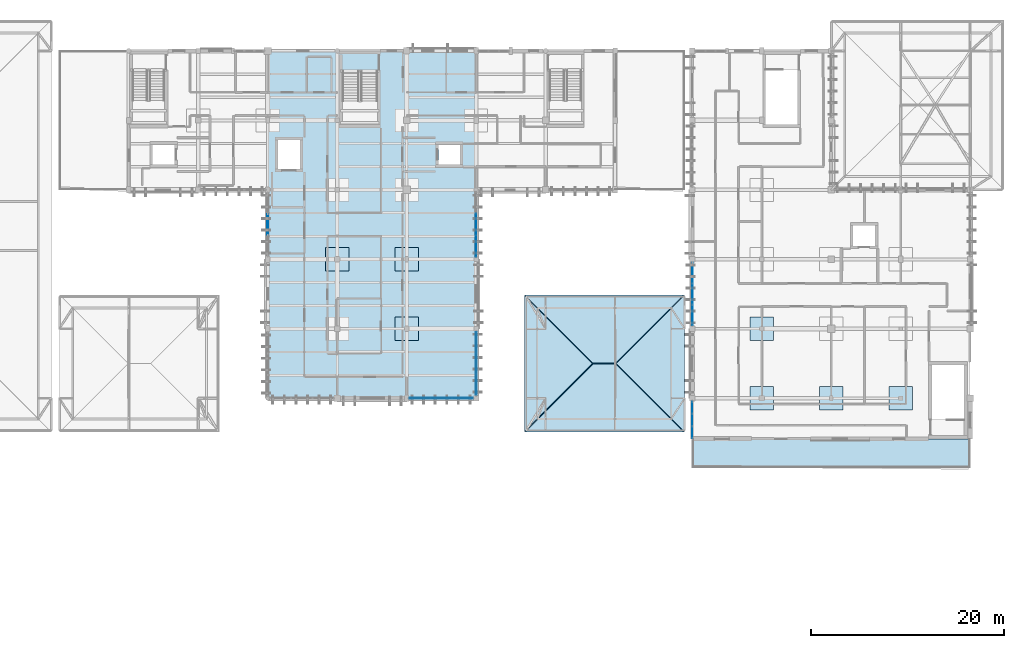
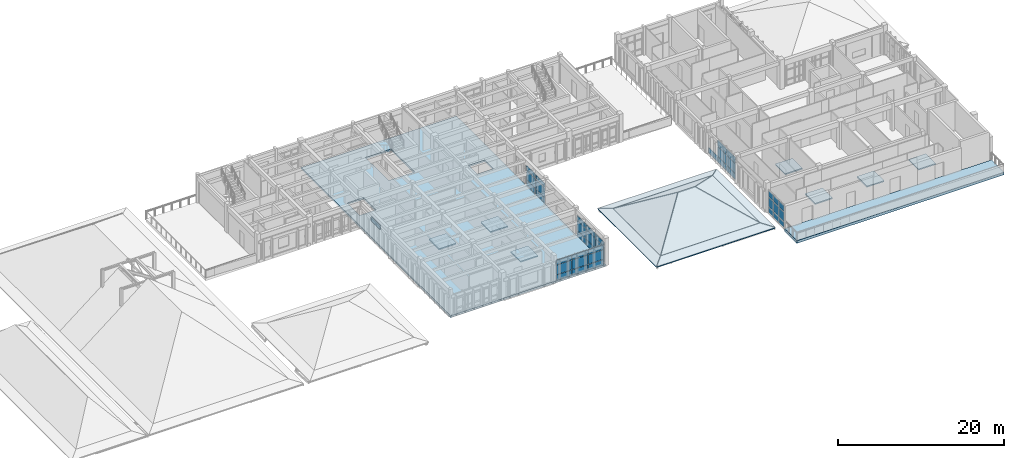
# One storey, part 24 of 51: 41 plates, 17 slabs, 7 elements without a shape of their own.
"""IFC4 building model written with IfcOpenShell, lengths in metres."""

from ifc_helpers import new_model, si_unit, direction, frame, origin, origin_2d, place, context, subcontext, project, spatial, polyline, rectangle, outline, extrude, material, layer, layer_set, type_object, element, aggregate, save


model = new_model("IFC4")

# Units and contexts
model_context = context("Model", 3, precision=1e-05, world=origin(), true_north=direction((0.0, 1.0)))
body_context = subcontext(model_context, "Body", "Model", "MODEL_VIEW")
ifc_project = project(units=[si_unit("LENGTHUNIT", "METRE"), si_unit("AREAUNIT", "SQUARE_METRE"), si_unit("VOLUMEUNIT", "CUBIC_METRE"), si_unit("PLANEANGLEUNIT", "RADIAN"), si_unit("MASSUNIT", "GRAM", prefix="KILO")], contexts=[model_context])

# Site, building, storey
site_placement = place(None, origin())
site = spatial("IfcSite", under=ifc_project, at=site_placement, CompositionType="ELEMENT")
building_placement = place(site_placement, origin())
building = spatial("IfcBuilding", under=site, at=building_placement, Name="Steenspoor Specialist Clinic", CompositionType="ELEMENT")
storey_placement = place(building_placement, frame((0.0, 0.0, 17.39990234375)))
storey = spatial("IfcBuildingStorey", under=building, at=storey_placement, Name="L04", CompositionType="ELEMENT", Elevation=17.39990234375)

# Curtain wall, plates
ifc_material_1 = material(Name="Thermally broken aluminium and low-emissivity glass", Category="aluminium")
curtain_wall_type_1 = type_object("IfcCurtainWallType", Name="CW-TYP-480X355", PredefinedType="USERDEFINED", material=ifc_material_1)
curtain_wall_1_placement = place(storey_placement, origin())
curtain_wall_1 = element("IfcCurtainWall", 1, at=curtain_wall_1_placement, inside=storey, type_object=curtain_wall_type_1, Name="Unitised Curtain Wall CW-V6-L04-204", ObjectType="UNITISED GLAZING", PredefinedType="USERDEFINED")
ifc_material_2 = material(Name="Double low-emissivity insulated glass", Category="glass")
ifc_layer_1 = layer(ifc_material_2, 0.035888671875)
ifc_layer_set_1 = layer_set([ifc_layer_1], Name="Double low-emissivity insulated glass")
plate_type_1 = type_object("IfcPlateType", Name="CW-PAN-GL36", PredefinedType="CURTAIN_PANEL", material=ifc_layer_set_1)
plate_1_placement = place(storey_placement, frame((118.0, 68.820068359375, 0.09033203125), z_axis=(0.0, 0.0, 1.0), x_axis=(0.0, 1.0, 0.0)))
plate_1 = element("IfcPlate", 2, at=plate_1_placement, type_object=plate_type_1, Name="CW-12 panel 1.1", PredefinedType="CURTAIN_PANEL", context=body_context, shape_type="SweptSolid", body=[
    extrude(rectangle(XDim=1.179931640625, YDim=0.035888671875, at=origin_2d()), origin(), (0.0, 0.0, 1.0), 0.764892578125),
])
plate_2_placement = place(storey_placement, frame((118.0, 68.820068359375, 0.94482421875), z_axis=(0.0, 0.0, 1.0), x_axis=(0.0, 1.0, 0.0)))
plate_2 = element("IfcPlate", 3, at=plate_2_placement, type_object=plate_type_1, Name="CW-12 panel 1.2", PredefinedType="CURTAIN_PANEL", context=body_context, shape_type="SweptSolid", body=[
    extrude(rectangle(XDim=1.179931640625, YDim=0.035888671875, at=origin_2d()), origin(), (0.0, 0.0, 1.0), 1.360107421875),
])
plate_3_placement = place(storey_placement, frame((118.0, 68.820068359375, 2.39501953125), z_axis=(0.0, 0.0, 1.0), x_axis=(0.0, 1.0, 0.0)))
plate_3 = element("IfcPlate", 4, at=plate_3_placement, type_object=plate_type_1, Name="CW-12 panel 1.3", PredefinedType="CURTAIN_PANEL", context=body_context, shape_type="SweptSolid", body=[
    extrude(rectangle(XDim=1.179931640625, YDim=0.035888671875, at=origin_2d()), origin(), (0.0, 0.0, 1.0), 0.89501953125),
])
plate_4_placement = place(storey_placement, frame((118.0, 70.10009765625, 0.09033203125), z_axis=(0.0, 0.0, 1.0), x_axis=(0.0, 1.0, 0.0)))
plate_4 = element("IfcPlate", 5, at=plate_4_placement, type_object=plate_type_1, Name="CW-12 panel 2.1", PredefinedType="CURTAIN_PANEL", context=body_context, shape_type="SweptSolid", body=[
    extrude(rectangle(XDim=1.219970703125, YDim=0.035888671875, at=origin_2d()), origin(), (0.0, 0.0, 1.0), 0.764892578125),
])
plate_5_placement = place(storey_placement, frame((118.0, 70.10009765625, 0.94482421875), z_axis=(0.0, 0.0, 1.0), x_axis=(0.0, 1.0, 0.0)))
plate_5 = element("IfcPlate", 6, at=plate_5_placement, type_object=plate_type_1, Name="CW-12 panel 2.2", PredefinedType="CURTAIN_PANEL", context=body_context, shape_type="SweptSolid", body=[
    extrude(rectangle(XDim=1.219970703125, YDim=0.035888671875, at=origin_2d()), origin(), (0.0, 0.0, 1.0), 1.360107421875),
])
plate_6_placement = place(storey_placement, frame((118.0, 70.10009765625, 2.39501953125), z_axis=(0.0, 0.0, 1.0), x_axis=(0.0, 1.0, 0.0)))
plate_6 = element("IfcPlate", 7, at=plate_6_placement, type_object=plate_type_1, Name="CW-12 panel 2.3", PredefinedType="CURTAIN_PANEL", context=body_context, shape_type="SweptSolid", body=[
    extrude(rectangle(XDim=1.219970703125, YDim=0.035888671875, at=origin_2d()), origin(), (0.0, 0.0, 1.0), 0.89501953125),
])
plate_7_placement = place(storey_placement, frame((118.0, 71.3798828125, 0.09033203125), z_axis=(0.0, 0.0, 1.0), x_axis=(0.0, 1.0, 0.0)))
plate_7 = element("IfcPlate", 8, at=plate_7_placement, type_object=plate_type_1, Name="CW-12 panel 3.1", PredefinedType="CURTAIN_PANEL", context=body_context, shape_type="SweptSolid", body=[
    extrude(rectangle(XDim=1.179931640625, YDim=0.035888671875, at=origin_2d()), origin(), (0.0, 0.0, 1.0), 0.764892578125),
])
plate_8_placement = place(storey_placement, frame((118.0, 71.3798828125, 0.94482421875), z_axis=(0.0, 0.0, 1.0), x_axis=(0.0, 1.0, 0.0)))
plate_8 = element("IfcPlate", 9, at=plate_8_placement, type_object=plate_type_1, Name="CW-12 panel 3.2", PredefinedType="CURTAIN_PANEL", context=body_context, shape_type="SweptSolid", body=[
    extrude(rectangle(XDim=1.179931640625, YDim=0.035888671875, at=origin_2d()), origin(), (0.0, 0.0, 1.0), 1.360107421875),
])
plate_9_placement = place(storey_placement, frame((118.0, 71.3798828125, 2.39501953125), z_axis=(0.0, 0.0, 1.0), x_axis=(0.0, 1.0, 0.0)))
plate_9 = element("IfcPlate", 10, at=plate_9_placement, type_object=plate_type_1, Name="CW-12 panel 3.3", PredefinedType="CURTAIN_PANEL", context=body_context, shape_type="SweptSolid", body=[
    extrude(rectangle(XDim=1.179931640625, YDim=0.035888671875, at=origin_2d()), origin(), (0.0, 0.0, 1.0), 0.89501953125),
])
aggregate(curtain_wall_1, [plate_1, plate_2, plate_3, plate_4, plate_5, plate_6, plate_7, plate_8, plate_9])

curtain_wall_type_2 = type_object("IfcCurtainWallType", Name="CW-TYP-650X355", PredefinedType="USERDEFINED", material=ifc_material_1)
curtain_wall_2_placement = place(storey_placement, origin())
curtain_wall_2 = element("IfcCurtainWall", 11, at=curtain_wall_2_placement, inside=storey, type_object=curtain_wall_type_2, Name="Unitised Curtain Wall CW-V4-L04-130", ObjectType="UNITISED GLAZING", PredefinedType="USERDEFINED")
ifc_material_3 = material(Name="Triple acoustic laminated low-emissivity glass", Category="glass")
ifc_layer_2 = layer(ifc_material_3, 0.048095703125)
ifc_layer_set_2 = layer_set([ifc_layer_2], Name="Triple acoustic laminated low-emissivity glass")
plate_type_2 = type_object("IfcPlateType", Name="CW-PAN-GL48", PredefinedType="CURTAIN_PANEL", material=ifc_layer_set_2)
plate_10_placement = place(storey_placement, frame((95.60009765625, 90.362548828125, 0.080078125), z_axis=(0.0, 0.0, 1.0), x_axis=(0.0, -1.0, 0.0)))
plate_10 = element("IfcPlate", 12, at=plate_10_placement, type_object=plate_type_2, Name="CW-10 panel 2.1", PredefinedType="CURTAIN_PANEL", context=body_context, shape_type="SweptSolid", body=[
    extrude(rectangle(XDim=2.1982421875, YDim=0.048095703125, at=origin_2d()), origin(), (0.0, 0.0, 1.0), 0.780029296875),
])
plate_11_placement = place(storey_placement, frame((95.60009765625, 90.362548828125, 0.93994140625), z_axis=(0.0, 0.0, 1.0), x_axis=(0.0, -1.0, 0.0)))
plate_11 = element("IfcPlate", 13, at=plate_11_placement, type_object=plate_type_2, Name="CW-10 panel 2.2", PredefinedType="CURTAIN_PANEL", context=body_context, shape_type="SweptSolid", body=[
    extrude(rectangle(XDim=2.1982421875, YDim=0.048095703125, at=origin_2d()), origin(), (0.0, 0.0, 1.0), 1.3701171875),
])
plate_12_placement = place(storey_placement, frame((95.60009765625, 90.362548828125, 2.39013671875), z_axis=(0.0, 0.0, 1.0), x_axis=(0.0, -1.0, 0.0)))
plate_12 = element("IfcPlate", 14, at=plate_12_placement, type_object=plate_type_2, Name="CW-10 panel 2.3", PredefinedType="CURTAIN_PANEL", context=body_context, shape_type="SweptSolid", body=[
    extrude(rectangle(XDim=2.1982421875, YDim=0.048095703125, at=origin_2d()), origin(), (0.0, 0.0, 1.0), 0.6298828125),
])
plate_13_placement = place(storey_placement, frame((95.60009765625, 88.119140625, 0.080078125), z_axis=(0.0, 0.0, 1.0), x_axis=(0.0, -1.0, 0.0)))
plate_13 = element("IfcPlate", 15, at=plate_13_placement, type_object=plate_type_2, Name="CW-10 panel 3.1", PredefinedType="CURTAIN_PANEL", context=body_context, shape_type="SweptSolid", body=[
    extrude(rectangle(XDim=2.168212890625, YDim=0.048095703125, at=origin_2d()), origin(), (0.0, 0.0, 1.0), 0.780029296875),
])
plate_14_placement = place(storey_placement, frame((95.60009765625, 88.119140625, 0.93994140625), z_axis=(0.0, 0.0, 1.0), x_axis=(0.0, -1.0, 0.0)))
plate_14 = element("IfcPlate", 16, at=plate_14_placement, type_object=plate_type_2, Name="CW-10 panel 3.2", PredefinedType="CURTAIN_PANEL", context=body_context, shape_type="SweptSolid", body=[
    extrude(rectangle(XDim=2.168212890625, YDim=0.048095703125, at=origin_2d()), origin(), (0.0, 0.0, 1.0), 1.3701171875),
])
plate_15_placement = place(storey_placement, frame((95.60009765625, 88.119140625, 2.39013671875), z_axis=(0.0, 0.0, 1.0), x_axis=(0.0, -1.0, 0.0)))
plate_15 = element("IfcPlate", 17, at=plate_15_placement, type_object=plate_type_2, Name="CW-10 panel 3.3", PredefinedType="CURTAIN_PANEL", context=body_context, shape_type="SweptSolid", body=[
    extrude(rectangle(XDim=2.168212890625, YDim=0.048095703125, at=origin_2d()), origin(), (0.0, 0.0, 1.0), 0.6298828125),
])
aggregate(curtain_wall_2, [plate_10, plate_11, plate_12, plate_13, plate_14, plate_15])

curtain_wall_type_3 = type_object("IfcCurtainWallType", Name="CW-TYP-420X355", PredefinedType="USERDEFINED", material=ifc_material_1)
curtain_wall_3_placement = place(storey_placement, origin())
curtain_wall_3 = element("IfcCurtainWall", 18, at=curtain_wall_3_placement, inside=storey, type_object=curtain_wall_type_3, Name="Unitised Curtain Wall CW-V6-L04-205", ObjectType="UNITISED GLAZING", PredefinedType="USERDEFINED")
plate_16_placement = place(storey_placement, frame((118.0, 80.969970703125, 0.080078125), z_axis=(0.0, 0.0, 1.0), x_axis=(0.0, 1.0, 0.0)))
plate_16 = element("IfcPlate", 19, at=plate_16_placement, type_object=plate_type_2, Name="CW-13 panel 1.1", PredefinedType="CURTAIN_PANEL", context=body_context, shape_type="SweptSolid", body=[
    extrude(rectangle(XDim=2.080078125, YDim=0.048095703125, at=origin_2d()), origin(), (0.0, 0.0, 1.0), 0.780029296875),
])
plate_17_placement = place(storey_placement, frame((118.0, 80.969970703125, 0.93994140625), z_axis=(0.0, 0.0, 1.0), x_axis=(0.0, 1.0, 0.0)))
plate_17 = element("IfcPlate", 20, at=plate_17_placement, type_object=plate_type_2, Name="CW-13 panel 1.2", PredefinedType="CURTAIN_PANEL", context=body_context, shape_type="SweptSolid", body=[
    extrude(rectangle(XDim=2.080078125, YDim=0.048095703125, at=origin_2d()), origin(), (0.0, 0.0, 1.0), 1.3701171875),
])
plate_18_placement = place(storey_placement, frame((118.0, 80.969970703125, 2.39013671875), z_axis=(0.0, 0.0, 1.0), x_axis=(0.0, 1.0, 0.0)))
plate_18 = element("IfcPlate", 21, at=plate_18_placement, type_object=plate_type_2, Name="CW-13 panel 1.3", PredefinedType="CURTAIN_PANEL", context=body_context, shape_type="SweptSolid", body=[
    extrude(rectangle(XDim=2.080078125, YDim=0.048095703125, at=origin_2d()), origin(), (0.0, 0.0, 1.0), 0.909912109375),
])
plate_19_placement = place(storey_placement, frame((118.0, 83.14990234375, 0.080078125), z_axis=(0.0, 0.0, 1.0), x_axis=(0.0, 1.0, 0.0)))
plate_19 = element("IfcPlate", 22, at=plate_19_placement, type_object=plate_type_2, Name="CW-13 panel 2.1", PredefinedType="CURTAIN_PANEL", context=body_context, shape_type="SweptSolid", body=[
    extrude(rectangle(XDim=2.1201171875, YDim=0.048095703125, at=origin_2d()), origin(), (0.0, 0.0, 1.0), 0.780029296875),
])
plate_20_placement = place(storey_placement, frame((118.0, 83.14990234375, 0.93994140625), z_axis=(0.0, 0.0, 1.0), x_axis=(0.0, 1.0, 0.0)))
plate_20 = element("IfcPlate", 23, at=plate_20_placement, type_object=plate_type_2, Name="CW-13 panel 2.2", PredefinedType="CURTAIN_PANEL", context=body_context, shape_type="SweptSolid", body=[
    extrude(rectangle(XDim=2.1201171875, YDim=0.048095703125, at=origin_2d()), origin(), (0.0, 0.0, 1.0), 1.3701171875),
])
plate_21_placement = place(storey_placement, frame((118.0, 83.14990234375, 2.39013671875), z_axis=(0.0, 0.0, 1.0), x_axis=(0.0, 1.0, 0.0)))
plate_21 = element("IfcPlate", 24, at=plate_21_placement, type_object=plate_type_2, Name="CW-13 panel 2.3", PredefinedType="CURTAIN_PANEL", context=body_context, shape_type="SweptSolid", body=[
    extrude(rectangle(XDim=2.1201171875, YDim=0.048095703125, at=origin_2d()), origin(), (0.0, 0.0, 1.0), 0.909912109375),
])
plate_22_placement = place(storey_placement, frame((118.0, 85.330078125, 0.080078125), z_axis=(0.0, 0.0, 1.0), x_axis=(0.0, 1.0, 0.0)))
plate_22 = element("IfcPlate", 25, at=plate_22_placement, type_object=plate_type_2, Name="CW-13 panel 3.1", PredefinedType="CURTAIN_PANEL", context=body_context, shape_type="SweptSolid", body=[
    extrude(rectangle(XDim=2.080078125, YDim=0.048095703125, at=origin_2d()), origin(), (0.0, 0.0, 1.0), 0.780029296875),
])
aggregate(curtain_wall_3, [plate_16, plate_17, plate_18, plate_19, plate_20, plate_21, plate_22])

curtain_wall_type_4 = type_object("IfcCurtainWallType", Name="CW-HALL-650X820", PredefinedType="USERDEFINED", material=ifc_material_1)
curtain_wall_4_placement = place(storey_placement, origin())
curtain_wall_4 = element("IfcCurtainWall", 26, at=curtain_wall_4_placement, inside=storey, type_object=curtain_wall_type_4, Name="Unitised Curtain Wall CW-V4-L04-122", ObjectType="UNITISED GLAZING", PredefinedType="USERDEFINED")
ifc_material_4 = material(Name="Insulated glazed ceramic spandrel panel", Category="glass")
ifc_layer_3 = layer(ifc_material_4, 0.074951171875)
ifc_layer_set_3 = layer_set([ifc_layer_3], Name="Insulated glazed ceramic spandrel panel")
plate_type_3 = type_object("IfcPlateType", Name="CW-PAN-SP75", PredefinedType="CURTAIN_PANEL", material=ifc_layer_set_3)
plate_23_placement = place(storey_placement, frame((94.19091796875, 72.35009765625, 0.06494140625), z_axis=(0.0, 0.0, 1.0), x_axis=(-1.0, 0.0, 0.0)))
plate_23 = element("IfcPlate", 27, at=plate_23_placement, type_object=plate_type_3, Name="CW-02 panel 1.1", PredefinedType="CURTAIN_PANEL", context=body_context, shape_type="SweptSolid", body=[
    extrude(rectangle(XDim=2.12841796875, YDim=0.074951171875, at=origin_2d()), origin(), (0.0, 0.0, 1.0), 0.802490234375),
])
plate_24_placement = place(storey_placement, frame((94.19091796875, 72.35009765625, 0.9326171875), z_axis=(0.0, 0.0, 1.0), x_axis=(-1.0, 0.0, 0.0)))
plate_24 = element("IfcPlate", 28, at=plate_24_placement, type_object=plate_type_3, Name="CW-02 panel 1.2", PredefinedType="CURTAIN_PANEL", context=body_context, shape_type="SweptSolid", body=[
    extrude(rectangle(XDim=2.12841796875, YDim=0.074951171875, at=origin_2d()), origin(), (0.0, 0.0, 1.0), 1.385009765625),
])
plate_25_placement = place(storey_placement, frame((94.19091796875, 72.35009765625, 2.38232421875), z_axis=(0.0, 0.0, 1.0), x_axis=(-1.0, 0.0, 0.0)))
plate_25 = element("IfcPlate", 29, at=plate_25_placement, type_object=plate_type_3, Name="CW-02 panel 1.3", PredefinedType="CURTAIN_PANEL", context=body_context, shape_type="SweptSolid", body=[
    extrude(rectangle(XDim=2.12841796875, YDim=0.074951171875, at=origin_2d()), origin(), (0.0, 0.0, 1.0), 0.652587890625),
])
plate_26_placement = place(storey_placement, frame((91.97509765625, 72.35009765625, 0.06494140625), z_axis=(0.0, 0.0, 1.0), x_axis=(-1.0, 0.0, 0.0)))
plate_26 = element("IfcPlate", 30, at=plate_26_placement, type_object=plate_type_3, Name="CW-02 panel 2.1", PredefinedType="CURTAIN_PANEL", context=body_context, shape_type="SweptSolid", body=[
    extrude(rectangle(XDim=2.163330078125, YDim=0.074951171875, at=origin_2d()), origin(), (0.0, 0.0, 1.0), 0.802490234375),
])
plate_27_placement = place(storey_placement, frame((91.97509765625, 72.35009765625, 0.9326171875), z_axis=(0.0, 0.0, 1.0), x_axis=(-1.0, 0.0, 0.0)))
plate_27 = element("IfcPlate", 31, at=plate_27_placement, type_object=plate_type_3, Name="CW-02 panel 2.2", PredefinedType="CURTAIN_PANEL", context=body_context, shape_type="SweptSolid", body=[
    extrude(rectangle(XDim=2.163330078125, YDim=0.074951171875, at=origin_2d()), origin(), (0.0, 0.0, 1.0), 1.385009765625),
])
plate_28_placement = place(storey_placement, frame((91.97509765625, 72.35009765625, 2.38232421875), z_axis=(0.0, 0.0, 1.0), x_axis=(-1.0, 0.0, 0.0)))
plate_28 = element("IfcPlate", 32, at=plate_28_placement, type_object=plate_type_3, Name="CW-02 panel 2.3", PredefinedType="CURTAIN_PANEL", context=body_context, shape_type="SweptSolid", body=[
    extrude(rectangle(XDim=2.163330078125, YDim=0.074951171875, at=origin_2d()), origin(), (0.0, 0.0, 1.0), 0.652587890625),
])
plate_29_placement = place(storey_placement, frame((89.75927734375, 72.35009765625, 0.06494140625), z_axis=(0.0, 0.0, 1.0), x_axis=(-1.0, 0.0, 0.0)))
plate_29 = element("IfcPlate", 33, at=plate_29_placement, type_object=plate_type_3, Name="CW-02 panel 3.1", PredefinedType="CURTAIN_PANEL", context=body_context, shape_type="SweptSolid", body=[
    extrude(rectangle(XDim=2.12841796875, YDim=0.074951171875, at=origin_2d()), origin(), (0.0, 0.0, 1.0), 0.802490234375),
])
plate_30_placement = place(storey_placement, frame((89.75927734375, 72.35009765625, 0.9326171875), z_axis=(0.0, 0.0, 1.0), x_axis=(-1.0, 0.0, 0.0)))
plate_30 = element("IfcPlate", 34, at=plate_30_placement, type_object=plate_type_3, Name="CW-02 panel 3.2", PredefinedType="CURTAIN_PANEL", context=body_context, shape_type="SweptSolid", body=[
    extrude(rectangle(XDim=2.12841796875, YDim=0.074951171875, at=origin_2d()), origin(), (0.0, 0.0, 1.0), 1.385009765625),
])
plate_31_placement = place(storey_placement, frame((89.75927734375, 72.35009765625, 2.38232421875), z_axis=(0.0, 0.0, 1.0), x_axis=(-1.0, 0.0, 0.0)))
plate_31 = element("IfcPlate", 35, at=plate_31_placement, type_object=plate_type_3, Name="CW-02 panel 3.3", PredefinedType="CURTAIN_PANEL", context=body_context, shape_type="SweptSolid", body=[
    extrude(rectangle(XDim=2.12841796875, YDim=0.074951171875, at=origin_2d()), origin(), (0.0, 0.0, 1.0), 0.652587890625),
])
aggregate(curtain_wall_4, [plate_23, plate_24, plate_25, plate_26, plate_27, plate_28, plate_29, plate_30, plate_31])

# Curtain wall, plate
curtain_wall_type_5 = type_object("IfcCurtainWallType", Name="CW-L00-650X415", PredefinedType="USERDEFINED", material=ifc_material_1)
curtain_wall_5_placement = place(storey_placement, origin())
curtain_wall_5 = element("IfcCurtainWall", 36, at=curtain_wall_5_placement, inside=storey, type_object=curtain_wall_type_5, Name="Unitised Curtain Wall CW-V4-L04-125", ObjectType="UNITISED GLAZING", PredefinedType="USERDEFINED")
plate_32_placement = place(storey_placement, frame((74.0, 90.362548828125, 2.39013671875), z_axis=(0.0, 0.0, 1.0), x_axis=(0.0, 1.0, 0.0)))
plate_32 = element("IfcPlate", 37, at=plate_32_placement, type_object=plate_type_3, Name="CW-05 panel 2.3", PredefinedType="CURTAIN_PANEL", context=body_context, shape_type="SweptSolid", body=[
    extrude(rectangle(XDim=2.1015625, YDim=0.074951171875, at=origin_2d()), origin(), (0.0, 0.0, 1.0), 0.6298828125),
])
aggregate(curtain_wall_5, [plate_32])

# Curtain wall, plates
curtain_wall_type_6 = type_object("IfcCurtainWallType", Name="CW-TYP-540X355", PredefinedType="USERDEFINED", material=ifc_material_1)
curtain_wall_6_placement = place(storey_placement, origin())
curtain_wall_6 = element("IfcCurtainWall", 38, at=curtain_wall_6_placement, inside=storey, type_object=curtain_wall_type_6, Name="Unitised Curtain Wall CW-V4-L04-131", ObjectType="UNITISED GLAZING", PredefinedType="USERDEFINED")
plate_33_placement = place(storey_placement, frame((95.60009765625, 78.1650390625, 0.070068359375), z_axis=(0.0, 0.0, 1.0), x_axis=(0.0, -1.0, 0.0)))
plate_33 = element("IfcPlate", 39, at=plate_33_placement, type_object=plate_type_3, Name="CW-11 panel 1.1", PredefinedType="CURTAIN_PANEL", context=body_context, shape_type="SweptSolid", body=[
    extrude(rectangle(XDim=2.090087890625, YDim=0.074951171875, at=origin_2d()), origin(), (0.0, 0.0, 1.0), 0.794921875),
])
plate_34_placement = place(storey_placement, frame((95.60009765625, 78.1650390625, 0.93505859375), z_axis=(0.0, 0.0, 1.0), x_axis=(0.0, -1.0, 0.0)))
plate_34 = element("IfcPlate", 40, at=plate_34_placement, type_object=plate_type_3, Name="CW-11 panel 1.2", PredefinedType="CURTAIN_PANEL", context=body_context, shape_type="SweptSolid", body=[
    extrude(rectangle(XDim=2.090087890625, YDim=0.074951171875, at=origin_2d()), origin(), (0.0, 0.0, 1.0), 1.3798828125),
])
plate_35_placement = place(storey_placement, frame((95.60009765625, 78.1650390625, 2.385009765625), z_axis=(0.0, 0.0, 1.0), x_axis=(0.0, -1.0, 0.0)))
plate_35 = element("IfcPlate", 41, at=plate_35_placement, type_object=plate_type_3, Name="CW-11 panel 1.3", PredefinedType="CURTAIN_PANEL", context=body_context, shape_type="SweptSolid", body=[
    extrude(rectangle(XDim=2.090087890625, YDim=0.074951171875, at=origin_2d()), origin(), (0.0, 0.0, 1.0), 0.64501953125),
])
plate_36_placement = place(storey_placement, frame((95.60009765625, 75.96240234375, 0.070068359375), z_axis=(0.0, 0.0, 1.0), x_axis=(0.0, -1.0, 0.0)))
plate_36 = element("IfcPlate", 42, at=plate_36_placement, type_object=plate_type_3, Name="CW-11 panel 2.1", PredefinedType="CURTAIN_PANEL", context=body_context, shape_type="SweptSolid", body=[
    extrude(rectangle(XDim=2.135009765625, YDim=0.074951171875, at=origin_2d()), origin(), (0.0, 0.0, 1.0), 0.794921875),
])
plate_37_placement = place(storey_placement, frame((95.60009765625, 75.96240234375, 0.93505859375), z_axis=(0.0, 0.0, 1.0), x_axis=(0.0, -1.0, 0.0)))
plate_37 = element("IfcPlate", 43, at=plate_37_placement, type_object=plate_type_3, Name="CW-11 panel 2.2", PredefinedType="CURTAIN_PANEL", context=body_context, shape_type="SweptSolid", body=[
    extrude(rectangle(XDim=2.135009765625, YDim=0.074951171875, at=origin_2d()), origin(), (0.0, 0.0, 1.0), 1.3798828125),
])
plate_38_placement = place(storey_placement, frame((95.60009765625, 75.96240234375, 2.385009765625), z_axis=(0.0, 0.0, 1.0), x_axis=(0.0, -1.0, 0.0)))
plate_38 = element("IfcPlate", 44, at=plate_38_placement, type_object=plate_type_3, Name="CW-11 panel 2.3", PredefinedType="CURTAIN_PANEL", context=body_context, shape_type="SweptSolid", body=[
    extrude(rectangle(XDim=2.135009765625, YDim=0.074951171875, at=origin_2d()), origin(), (0.0, 0.0, 1.0), 0.64501953125),
])
plate_39_placement = place(storey_placement, frame((95.60009765625, 73.760009765625, 0.070068359375), z_axis=(0.0, 0.0, 1.0), x_axis=(0.0, -1.0, 0.0)))
plate_39 = element("IfcPlate", 45, at=plate_39_placement, type_object=plate_type_3, Name="CW-11 panel 3.1", PredefinedType="CURTAIN_PANEL", context=body_context, shape_type="SweptSolid", body=[
    extrude(rectangle(XDim=2.090087890625, YDim=0.074951171875, at=origin_2d()), origin(), (0.0, 0.0, 1.0), 0.794921875),
])
plate_40_placement = place(storey_placement, frame((95.60009765625, 73.760009765625, 0.93505859375), z_axis=(0.0, 0.0, 1.0), x_axis=(0.0, -1.0, 0.0)))
plate_40 = element("IfcPlate", 46, at=plate_40_placement, type_object=plate_type_3, Name="CW-11 panel 3.2", PredefinedType="CURTAIN_PANEL", context=body_context, shape_type="SweptSolid", body=[
    extrude(rectangle(XDim=2.090087890625, YDim=0.074951171875, at=origin_2d()), origin(), (0.0, 0.0, 1.0), 1.3798828125),
])
plate_41_placement = place(storey_placement, frame((95.60009765625, 73.760009765625, 2.385009765625), z_axis=(0.0, 0.0, 1.0), x_axis=(0.0, -1.0, 0.0)))
plate_41 = element("IfcPlate", 47, at=plate_41_placement, type_object=plate_type_3, Name="CW-11 panel 3.3", PredefinedType="CURTAIN_PANEL", context=body_context, shape_type="SweptSolid", body=[
    extrude(rectangle(XDim=2.090087890625, YDim=0.074951171875, at=origin_2d()), origin(), (0.0, 0.0, 1.0), 0.64501953125),
])
aggregate(curtain_wall_6, [plate_33, plate_34, plate_35, plate_36, plate_37, plate_38, plate_39, plate_40, plate_41])

# Slabs
ifc_material_5 = material(Name="Concrete C35/45", Category="concrete")
ifc_layer_4 = layer(ifc_material_5, 0.169921875)
ifc_layer_set_4 = layer_set([ifc_layer_4], Name="Concrete C35/45")
slab_type_1 = type_object("IfcSlabType", Name="SL-DROP-170", PredefinedType="USERDEFINED", material=ifc_layer_set_4)
slab_1_placement = place(storey_placement, frame((0.0, 0.0, -0.419921875)))
element("IfcSlab", 48, at=slab_1_placement, inside=storey, type_object=slab_type_1, Name="Column Drop Panel DROP-V4-L04-077", ObjectType="DROP PANEL", PredefinedType="USERDEFINED", context=body_context, shape_type="SweptSolid", body=[
    extrude(outline(polyline([(82.39990234375, 85.550048828125), (82.39990234375, 87.949951171875), (80.0, 87.949951171875), (80.0, 85.550048828125), (82.39990234375, 85.550048828125)])), origin(), (0.0, 0.0, 1.0), 0.169921875),
])
slab_2_placement = place(storey_placement, frame((0.0, 0.0, -0.419921875)))
element("IfcSlab", 49, at=slab_2_placement, inside=storey, type_object=slab_type_1, Name="Column Drop Panel DROP-V4-L04-079", ObjectType="DROP PANEL", PredefinedType="USERDEFINED", context=body_context, shape_type="SweptSolid", body=[
    extrude(outline(polyline([(89.60009765625, 78.35009765625), (89.60009765625, 80.75), (87.199951171875, 80.75), (87.199951171875, 78.35009765625), (89.60009765625, 78.35009765625)])), origin(), (0.0, 0.0, 1.0), 0.169921875),
])
slab_3_placement = place(storey_placement, frame((0.0, 0.0, -0.419921875)))
element("IfcSlab", 50, at=slab_3_placement, inside=storey, type_object=slab_type_1, Name="Column Drop Panel DROP-V4-L04-080", ObjectType="DROP PANEL", PredefinedType="USERDEFINED", context=body_context, shape_type="SweptSolid", body=[
    extrude(outline(polyline([(89.60009765625, 85.550048828125), (89.60009765625, 87.949951171875), (87.199951171875, 87.949951171875), (87.199951171875, 85.550048828125), (89.60009765625, 85.550048828125)])), origin(), (0.0, 0.0, 1.0), 0.169921875),
])
slab_4_placement = place(storey_placement, frame((0.0, 0.0, -0.419921875)))
element("IfcSlab", 51, at=slab_4_placement, inside=storey, type_object=slab_type_1, Name="Column Drop Panel DROP-V6-L04-174", ObjectType="DROP PANEL", PredefinedType="USERDEFINED", context=body_context, shape_type="SweptSolid", body=[
    extrude(outline(polyline([(126.39990234375, 71.14990234375), (126.39990234375, 73.550048828125), (124.0, 73.550048828125), (124.0, 71.14990234375), (126.39990234375, 71.14990234375)])), origin(), (0.0, 0.0, 1.0), 0.169921875),
])
slab_5_placement = place(storey_placement, frame((0.0, 0.0, -0.419921875)))
element("IfcSlab", 52, at=slab_5_placement, inside=storey, type_object=slab_type_1, Name="Column Drop Panel DROP-V6-L04-175", ObjectType="DROP PANEL", PredefinedType="USERDEFINED", context=body_context, shape_type="SweptSolid", body=[
    extrude(outline(polyline([(126.39990234375, 78.35009765625), (126.39990234375, 80.75), (124.0, 80.75), (124.0, 78.35009765625), (126.39990234375, 78.35009765625)])), origin(), (0.0, 0.0, 1.0), 0.169921875),
])
slab_6_placement = place(storey_placement, frame((0.0, 0.0, -0.419921875)))
element("IfcSlab", 53, at=slab_6_placement, inside=storey, type_object=slab_type_1, Name="Column Drop Panel DROP-V6-L04-178", ObjectType="DROP PANEL", PredefinedType="USERDEFINED", context=body_context, shape_type="SweptSolid", body=[
    extrude(outline(polyline([(133.60009765625, 71.14990234375), (133.60009765625, 73.550048828125), (131.199951171875, 73.550048828125), (131.199951171875, 71.14990234375), (133.60009765625, 71.14990234375)])), origin(), (0.0, 0.0, 1.0), 0.169921875),
])
slab_7_placement = place(storey_placement, frame((0.0, 0.0, -0.419921875)))
element("IfcSlab", 54, at=slab_7_placement, inside=storey, type_object=slab_type_1, Name="Column Drop Panel DROP-V6-L04-181", ObjectType="DROP PANEL", PredefinedType="USERDEFINED", context=body_context, shape_type="SweptSolid", body=[
    extrude(outline(polyline([(140.800048828125, 71.14990234375), (140.800048828125, 73.550048828125), (138.39990234375, 73.550048828125), (138.39990234375, 71.14990234375), (140.800048828125, 71.14990234375)])), origin(), (0.0, 0.0, 1.0), 0.169921875),
])
ifc_layer_5 = layer(ifc_material_5, 0.25)
ifc_layer_set_5 = layer_set([ifc_layer_5], Name="Concrete C35/45")
slab_type_2 = type_object("IfcSlabType", Name="SL-FLAT-250", PredefinedType="FLOOR", material=ifc_layer_set_5)
slab_8_placement = place(storey_placement, frame((0.0, 0.0, -0.25)))
element("IfcSlab", 55, at=slab_8_placement, inside=storey, type_object=slab_type_2, Name="Structural Slab SLAB-V4-L04-028", PredefinedType="FLOOR", context=body_context, shape_type="SweptSolid", body=[
    extrude(outline(polyline([(74.0, 93.949951171875), (74.0, 108.35009765625), (95.60009765625, 108.35009765625), (95.60009765625, 93.949951171875), (95.60009765625, 72.35009765625), (74.0, 72.35009765625), (74.0, 93.949951171875)]), holes=[polyline([(75.050048828125, 96.10009765625), (77.35009765625, 96.10009765625), (77.35009765625, 99.10009765625), (75.050048828125, 99.10009765625), (75.050048828125, 96.10009765625)]), polyline([(91.675048828125, 96.550048828125), (93.925048828125, 96.550048828125), (93.925048828125, 98.64990234375), (91.675048828125, 98.64990234375), (91.675048828125, 96.550048828125)]), polyline([(81.75, 100.699951171875), (85.35009765625, 100.699951171875), (85.35009765625, 106.280029296875), (81.75, 106.280029296875), (81.75, 100.699951171875)])]), origin(), (0.0, 0.0, 1.0), 0.25),
])
ifc_layer_6 = layer(ifc_material_5, 0.3798828125)
ifc_layer_set_6 = layer_set([ifc_layer_6], Name="Concrete C35/45")
slab_type_3 = type_object("IfcSlabType", Name="SL-GARDEN-380", PredefinedType="FLOOR", material=ifc_layer_set_6)
slab_9_placement = place(storey_placement, frame((0.0, 0.0, -0.3798828125)))
element("IfcSlab", 56, at=slab_9_placement, inside=storey, type_object=slab_type_3, Name="Planted Roof Terrace Slab TERR-V6-L04-01", PredefinedType="FLOOR", context=body_context, shape_type="SweptSolid", body=[
    extrude(outline(polyline([(146.800048828125, 65.14990234375), (146.800048828125, 68.14990234375), (118.0, 68.14990234375), (118.0, 65.14990234375), (146.800048828125, 65.14990234375)])), origin(), (0.0, 0.0, 1.0), 0.3798828125),
])

# Roof, slabs
ifc_material_6 = material(Name="Extruded terracotta clay roof tile", Category="masonry")
roof_type = type_object("IfcRoofType", Name="ROOF-HIP-TIER", PredefinedType="HIP_ROOF", material=ifc_material_6)
roof_placement = place(storey_placement, origin())
roof = element("IfcRoof", 57, at=roof_placement, inside=storey, type_object=roof_type, Name="Tiered Hipped Roof V4T2E", PredefinedType="HIP_ROOF")
ifc_layer_7 = layer(ifc_material_5, 0.14990234375)
ifc_layer_set_7 = layer_set([ifc_layer_7], Name="Concrete C35/45")
slab_type_4 = type_object("IfcSlabType", Name="SL-ROOF-150", PredefinedType="ROOF", material=ifc_layer_set_7)
slab_10_placement = place(storey_placement, frame((102.00048828125, 70.19091796875, 0.33447265625), z_axis=(0.0, -0.242036762378, 0.970267079549), x_axis=(-0.696421983868, -0.696295200328, -0.173693449463)))
slab_10 = element("IfcSlab", 58, at=slab_10_placement, type_object=slab_type_4, Name="Hipped Roof Slab RSLAB-V4T2E-SKS", PredefinedType="ROOF", context=body_context, shape_type="SweptSolid", body=[
    extrude(outline(polyline([(0.0, 0.0), (1.9256492244505445, -1.1102230246251565e-16), (-9.531308529684216, 11.805895776295944), (-9.589064220255436, 9.88111287533448), (0.0, 0.0)])), origin(), (0.0, 0.0, -1.0), 0.14990234375),
])
slab_11_placement = place(storey_placement, frame((115.76953125, 81.708984375, 0.33447265625), z_axis=(0.0, 0.241995280227, 0.970277426486), x_axis=(0.696360507135, 0.696360507135, -0.173678116653)))
slab_11 = element("IfcSlab", 59, at=slab_11_placement, type_object=slab_type_4, Name="Hipped Roof Slab RSLAB-V4T2E-SKN", PredefinedType="ROOF", context=body_context, shape_type="SweptSolid", body=[
    extrude(outline(polyline([(0.0, 0.0), (1.9258192263683114, -5.551115123125783e-17), (-9.530127163478822, 11.806877164336871), (-9.588217744488285, 9.881934262054358), (0.0, 0.0)])), origin(), (0.0, 0.0, -1.0), 0.14990234375),
])
slab_12_placement = place(storey_placement, frame((101.94091796875, 81.649658203125, 0.33447265625), z_axis=(-0.242036762378, 0.0, 0.970267079549), x_axis=(-0.69635668215, 0.69635668215, -0.173708786334)))
slab_12 = element("IfcSlab", 60, at=slab_12_placement, type_object=slab_type_4, Name="Hipped Roof Slab RSLAB-V4T2E-SKW", PredefinedType="ROOF", context=body_context, shape_type="SweptSolid", body=[
    extrude(outline(polyline([(0.0, 0.0), (1.9254792075231886, -6.938893903907228e-17), (-7.879957315839513, 10.105914886771535), (-7.93788814606297, 8.181137249085403), (0.0, 0.0)])), origin(), (0.0, 0.0, -1.0), 0.14990234375),
])
slab_13_placement = place(storey_placement, frame((115.8291015625, 70.25048828125, 0.33447265625), z_axis=(0.242036762378, 0.0, 0.970267079549), x_axis=(0.696295200328, -0.696421983868, -0.173693449463)))
slab_13 = element("IfcSlab", 61, at=slab_13_placement, type_object=slab_type_4, Name="Hipped Roof Slab RSLAB-V4T2E-SKE", PredefinedType="ROOF", context=body_context, shape_type="SweptSolid", body=[
    extrude(outline(polyline([(0.0, 0.0), (1.9256492244505445, 9.71445146547012e-17), (-7.880706815966714, 10.10502262842284), (-7.938632531436337, 8.180414930711056), (0.0, 0.0)])), origin(), (0.0, 0.0, -1.0), 0.14990234375),
])
slab_14_placement = place(storey_placement, frame((115.751708984375, 70.208984375, 0.3427734375), z_axis=(0.0, -0.557699910409, 0.830042655488), x_axis=(-0.638705056392, 0.638677695826, 0.429123119622)))
slab_14 = element("IfcSlab", 62, at=slab_14_placement, type_object=slab_type_4, Name="Hipped Roof Slab RSLAB-V4T2E-S", PredefinedType="ROOF", context=body_context, shape_type="SweptSolid", body=[
    extrude(outline(polyline([(0.0, 0.0), (8.923083813043137, 0.0), (10.41459110415378, 1.7968274144904877), (8.771591023476843, 10.567186170404488), (0.0, 0.0)])), origin(), (0.0, 0.0, -1.0), 0.14990234375),
])
slab_15_placement = place(storey_placement, frame((102.018310546875, 81.69091796875, 0.3427734375), z_axis=(0.0, 0.557699910409, 0.830042655488), x_axis=(0.638688856984, -0.638688856984, 0.429130618727)))
slab_15 = element("IfcSlab", 63, at=slab_15_placement, type_object=slab_type_4, Name="Hipped Roof Slab RSLAB-V4T2E-N", PredefinedType="ROOF", context=body_context, shape_type="SweptSolid", body=[
    extrude(outline(polyline([(0.0, 0.0), (8.922927881168928, 0.0), (10.414397343339964, 1.7968588147965425), (8.771368550553577, 10.567370836375863), (0.0, 0.0)])), origin(), (0.0, 0.0, -1.0), 0.14990234375),
])
slab_16_placement = place(storey_placement, frame((107.640625, 75.949951171875, 4.16015625), z_axis=(-0.557692646611, 0.0, 0.830047535938), x_axis=(-0.638691080422, 0.638691080422, -0.429124000236)))
slab_16 = element("IfcSlab", 64, at=slab_16_placement, type_object=slab_type_4, Name="Hipped Roof Slab RSLAB-V4T2E-W", PredefinedType="ROOF", context=body_context, shape_type="SweptSolid", body=[
    extrude(outline(polyline([(0.0, 0.0), (8.895756961634643, 4.440892098500626e-16), (1.6381305829304778, 8.743627400212056), (0.0, 0.0)])), origin(), (0.0, 0.0, -1.0), 0.14990234375),
])
slab_17_placement = place(storey_placement, frame((110.12939453125, 75.949951171875, 4.16015625), z_axis=(0.557692646611, 0.0, 0.830047535938), x_axis=(0.638691080422, -0.638691080422, -0.429124000236)))
slab_17 = element("IfcSlab", 65, at=slab_17_placement, type_object=slab_type_4, Name="Hipped Roof Slab RSLAB-V4T2E-E", PredefinedType="ROOF", context=body_context, shape_type="SweptSolid", body=[
    extrude(outline(polyline([(0.0, 0.0), (8.895756961634643, 4.440892098500626e-16), (1.6381305829304778, 8.743627400212056), (0.0, 0.0)])), origin(), (0.0, 0.0, -1.0), 0.14990234375),
])
aggregate(roof, [slab_10, slab_11, slab_12, slab_13, slab_14, slab_15, slab_16, slab_17])

save(model, "model.ifc")
